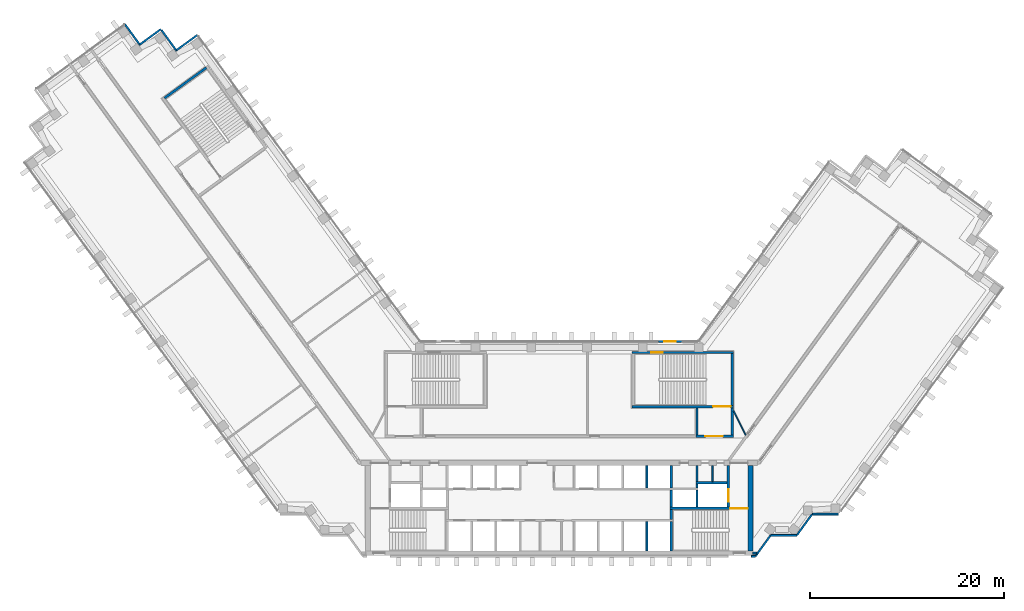
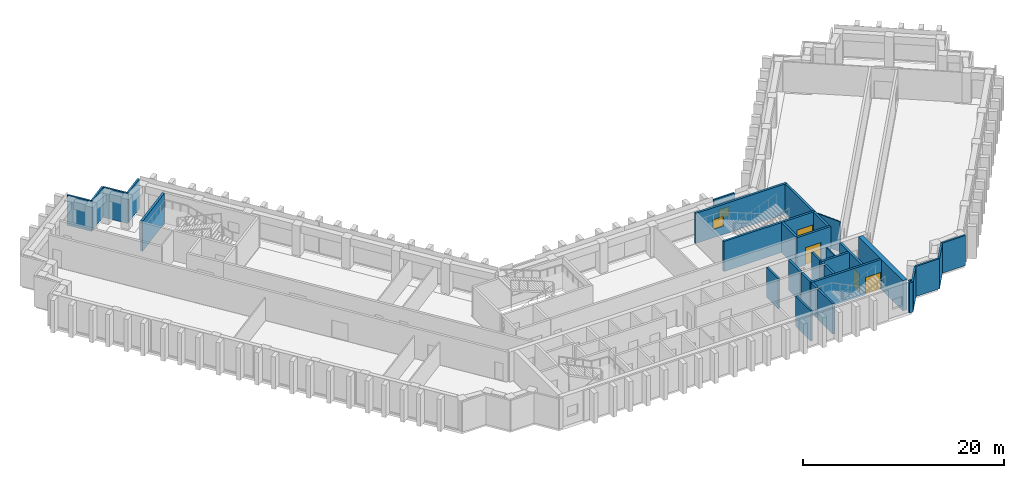
# One storey, part 9 of 13: 33 walls, 4 doors, 2 windows, 6 openings.
"""IFC4 building model written with IfcOpenShell, lengths in metres."""

from ifc_helpers import new_model, si_unit, direction, frame, frame_2d, origin, place, context, subcontext, project, spatial, rectangle, extrude, material, layer, layer_set, type_object, element, fill, save


model = new_model("IFC4")

# Units and contexts
model_context = context("Model", 3, precision=1e-05, world=origin(), true_north=direction((0.0, 1.0)))
body_context = subcontext(model_context, "Body", "Model", "MODEL_VIEW")
ifc_project = project(units=[si_unit("LENGTHUNIT", "METRE"), si_unit("AREAUNIT", "SQUARE_METRE"), si_unit("VOLUMEUNIT", "CUBIC_METRE"), si_unit("PLANEANGLEUNIT", "RADIAN"), si_unit("MASSUNIT", "GRAM", prefix="KILO")], contexts=[model_context])

# Site, building, storey
site_placement = place(None, origin())
site = spatial("IfcSite", under=ifc_project, at=site_placement, CompositionType="ELEMENT")
building_placement = place(site_placement, origin())
building = spatial("IfcBuilding", under=site, at=building_placement, Name="Quipu Civic Tower", CompositionType="ELEMENT")
storey_placement = place(building_placement, frame((0.0, 0.0, 85.0)))
storey = spatial("IfcBuildingStorey", under=building, at=storey_placement, Name="L19", CompositionType="ELEMENT", Elevation=85.0)

# Walls
ifc_material_1 = material(Name="Concrete C70/85", Category="concrete")
ifc_layer_1 = layer(ifc_material_1, 0.25)
ifc_layer_set_1 = layer_set([ifc_layer_1], Name="Concrete C70/85")
wall_type_1 = type_object("IfcWallType", Name="Core wall 250", PredefinedType="SHEAR", material=ifc_layer_set_1)
wall_1_placement = place(storey_placement, frame((11.574951171875, -10.5, 0.0), z_axis=(0.0, 0.0, 1.0), x_axis=(0.0, 1.0, 0.0)))
element("IfcWall", 1, at=wall_1_placement, inside=storey, type_object=wall_type_1, Name="Core wall", PredefinedType="SHEAR", context=body_context, shape_type="SweptSolid", body=[
    extrude(rectangle(XDim=3.0, YDim=0.25, at=frame_2d((1.5, 0.0))), origin(), (0.0, 0.0, 1.0), 3.64990234375),
])
wall_2_placement = place(storey_placement, frame((11.574951171875, -7.25, 0.0), z_axis=(0.0, 0.0, 1.0), x_axis=(0.0, 1.0, 0.0)))
element("IfcWall", 2, at=wall_2_placement, inside=storey, type_object=wall_type_1, Name="Core wall", PredefinedType="SHEAR", context=body_context, shape_type="SweptSolid", body=[
    extrude(rectangle(XDim=1.0, YDim=0.25, at=frame_2d((0.5, 0.0))), origin(), (0.0, 0.0, 1.0), 3.64990234375),
])

# Wall, opening, door
wall_3_placement = place(storey_placement, frame((19.5, -6.125, 0.0), z_axis=(0.0, 0.0, 1.0), x_axis=(-1.0, 0.0, 0.0)))
wall_3 = element("IfcWall", 3, at=wall_3_placement, inside=storey, type_object=wall_type_1, Name="Core wall", PredefinedType="SHEAR", context=body_context, shape_type="SweptSolid", body=[
    extrude(rectangle(XDim=8.050048828125, YDim=0.25, at=frame_2d((4.02490234375, 0.0))), origin(), (0.0, 0.0, 1.0), 3.64990234375),
])
opening_1_placement = place(wall_3_placement, frame((0.050048828125, 0.0, 0.0)))
opening_1 = element("IfcOpeningElement", 4, at=opening_1_placement, cuts=wall_3, Name="Opening CD-05", PredefinedType="OPENING", context=body_context, shape_type="SweptSolid", body=[
    extrude(rectangle(XDim=1.800048828125, YDim=2.10009765625, at=frame_2d((0.89990234375, 1.050048828125))), frame((0.0, 0.135009765625, 0.0), z_axis=(0.0, -1.0, 0.0), x_axis=(1.0, 0.0, 0.0)), (0.0, 0.0, 1.0), 0.27001953125),
])
ifc_material_2 = material(Name="Fire rated steel door", Category="steel")
door_type_1 = type_object("IfcDoorType", Name="Fire door FD90 double 1800 x 2100", OperationType="NOTDEFINED", PredefinedType="DOOR", material=ifc_material_2)
door_1_placement = place(opening_1_placement, origin())
door_1 = element("IfcDoor", 5, at=door_1_placement, inside=storey, type_object=door_type_1, Name="Door", OperationType="DOUBLE_DOOR_SINGLE_SWING", OverallHeight=2.10009765625, OverallWidth=1.800048828125, PredefinedType="DOOR", context=body_context, shape_type="SweptSolid", body=[
    extrude(rectangle(XDim=1.800048828125, YDim=2.10009765625, at=frame_2d((0.89990234375, 1.050048828125))), frame((0.0, 0.02490234375, 0.0), z_axis=(0.0, -1.0, 0.0), x_axis=(1.0, 0.0, 0.0)), (0.0, 0.0, 1.0), 0.050048828125),
])
fill(opening_1, door_1)

# Walls
for number, where, z_axis, x_axis, name in (
    (6, (11.574951171875, -6.0, 0.0), (0.0, 0.0, 1.0), (0.0, 1.0, 0.0), "Core wall"),
    (7, (14.22509765625, -6.0, 0.0), (0.0, 0.0, 1.0), (0.0, 1.0, 0.0), "Core wall"),
):
    element("IfcWall", number, at=place(storey_placement, frame(where, z_axis=z_axis, x_axis=x_axis)), inside=storey, type_object=wall_type_1, Name=name, PredefinedType="SHEAR", context=body_context, shape_type="SweptSolid", body=[
        extrude(rectangle(XDim=1.75, YDim=0.25, at=frame_2d((0.875, 0.0))), origin(), (0.0, 0.0, 1.0), 3.64990234375),
    ])

# Wall, opening, door
wall_4_placement = place(storey_placement, frame((17.47509765625, -6.0, 0.0), z_axis=(0.0, 0.0, 1.0), x_axis=(0.0, 1.0, 0.0)))
wall_4 = element("IfcWall", 8, at=wall_4_placement, inside=storey, type_object=wall_type_1, Name="Core wall", PredefinedType="SHEAR", context=body_context, shape_type="SweptSolid", body=[
    extrude(rectangle(XDim=4.300048828125, YDim=0.25, at=frame_2d((2.14990234375, 0.0))), origin(), (0.0, 0.0, 1.0), 3.64990234375),
])
opening_2_placement = place(wall_4_placement, frame((0.550048828125, 0.0, 0.0)))
opening_2 = element("IfcOpeningElement", 9, at=opening_2_placement, cuts=wall_4, Name="Opening LD-FF2", PredefinedType="OPENING", context=body_context, shape_type="SweptSolid", body=[
    extrude(rectangle(XDim=1.300048828125, YDim=2.10009765625, at=frame_2d((0.64990234375, 1.050048828125))), frame((0.0, 0.135009765625, 0.0), z_axis=(0.0, -1.0, 0.0), x_axis=(1.0, 0.0, 0.0)), (0.0, 0.0, 1.0), 0.27001953125),
])
ifc_material_3 = material(Name="Stainless steel", Category="steel")
door_type_2 = type_object("IfcDoorType", Name="Lift landing door 1300 x 2100", OperationType="DOUBLE_DOOR_SLIDING", PredefinedType="DOOR", material=ifc_material_3)
door_2_placement = place(opening_2_placement, origin())
door_2 = element("IfcDoor", 10, at=door_2_placement, inside=storey, type_object=door_type_2, Name="Landing door FF2", OperationType="DOUBLE_DOOR_SLIDING", OverallHeight=2.10009765625, OverallWidth=1.300048828125, PredefinedType="DOOR", context=body_context, shape_type="SweptSolid", body=[
    extrude(rectangle(XDim=1.300048828125, YDim=2.10009765625, at=frame_2d((0.64990234375, 1.050048828125))), frame((0.0, 0.02490234375, 0.0), z_axis=(0.0, -1.0, 0.0), x_axis=(1.0, 0.0, 0.0)), (0.0, 0.0, 1.0), 0.050048828125),
])
fill(opening_2, door_2)

# Walls
wall_5_placement = place(storey_placement, frame((11.574951171875, -4.0, 0.0), z_axis=(0.0, 0.0, 1.0), x_axis=(0.0, 1.0, 0.0)))
element("IfcWall", 11, at=wall_5_placement, inside=storey, type_object=wall_type_1, Name="Core wall", PredefinedType="SHEAR", context=body_context, shape_type="SweptSolid", body=[
    extrude(rectangle(XDim=2.300048828125, YDim=0.25, at=frame_2d((1.14990234375, 0.0))), origin(), (0.0, 0.0, 1.0), 3.64990234375),
])
wall_6_placement = place(storey_placement, frame((14.22509765625, -4.0, 0.0), z_axis=(0.0, 0.0, 1.0), x_axis=(0.0, 1.0, 0.0)))
element("IfcWall", 12, at=wall_6_placement, inside=storey, type_object=wall_type_1, Name="Core wall", PredefinedType="SHEAR", context=body_context, shape_type="SweptSolid", body=[
    extrude(rectangle(XDim=0.39990234375, YDim=0.25, at=frame_2d((0.199951171875, 0.0))), origin(), (0.0, 0.0, 1.0), 3.64990234375),
])
wall_7_placement = place(storey_placement, frame((14.10009765625, -3.47509765625, 0.0), z_axis=(0.0, 0.0, 1.0), x_axis=(1.0, 0.0, 0.0)))
element("IfcWall", 13, at=wall_7_placement, inside=storey, type_object=wall_type_1, Name="Core wall", PredefinedType="SHEAR", context=body_context, shape_type="SweptSolid", body=[
    extrude(rectangle(XDim=3.25, YDim=0.25, at=frame_2d((1.625, 0.0))), origin(), (0.0, 0.0, 1.0), 3.64990234375),
])
wall_8_placement = place(storey_placement, frame((14.22509765625, -3.35009765625, 0.0), z_axis=(0.0, 0.0, 1.0), x_axis=(0.0, 1.0, 0.0)))
element("IfcWall", 14, at=wall_8_placement, inside=storey, type_object=wall_type_1, Name="Core wall", PredefinedType="SHEAR", context=body_context, shape_type="SweptSolid", body=[
    extrude(rectangle(XDim=1.650146484375, YDim=0.25, at=frame_2d((0.8251953125, 0.0))), origin(), (0.0, 0.0, 1.0), 3.64990234375),
])

# Wall, opening, door
wall_9_placement = place(storey_placement, frame((14.10009765625, 1.324951171875, 0.0), z_axis=(0.0, 0.0, 1.0), x_axis=(1.0, 0.0, 0.0)))
wall_9 = element("IfcWall", 15, at=wall_9_placement, inside=storey, type_object=wall_type_1, Name="Core wall", PredefinedType="SHEAR", context=body_context, shape_type="SweptSolid", body=[
    extrude(rectangle(XDim=3.89990234375, YDim=0.25, at=frame_2d((1.949951171875, 0.0))), origin(), (0.0, 0.0, 1.0), 3.64990234375),
])
opening_3_placement = place(wall_9_placement, frame((1.0, 0.0, 0.0)))
opening_3 = element("IfcOpeningElement", 16, at=opening_3_placement, cuts=wall_9, Name="Opening CD-17", PredefinedType="OPENING", context=body_context, shape_type="SweptSolid", body=[
    extrude(rectangle(XDim=1.800048828125, YDim=2.10009765625, at=frame_2d((0.89990234375, 1.050048828125))), frame((0.0, 0.135009765625, 0.0), z_axis=(0.0, -1.0, 0.0), x_axis=(1.0, 0.0, 0.0)), (0.0, 0.0, 1.0), 0.27001953125),
])
door_3_placement = place(opening_3_placement, origin())
door_3 = element("IfcDoor", 17, at=door_3_placement, inside=storey, type_object=door_type_1, Name="Lobby door", OperationType="DOUBLE_DOOR_SINGLE_SWING", OverallHeight=2.10009765625, OverallWidth=1.800048828125, PredefinedType="DOOR", context=body_context, shape_type="SweptSolid", body=[
    extrude(rectangle(XDim=1.800048828125, YDim=2.10009765625, at=frame_2d((0.89990234375, 1.050048828125))), frame((0.0, 0.02490234375, 0.0), z_axis=(0.0, -1.0, 0.0), x_axis=(1.0, 0.0, 0.0)), (0.0, 0.0, 1.0), 0.050048828125),
])
fill(opening_3, door_3)

# Walls
for number, where, z_axis, x_axis, name in (
    (18, (14.22509765625, 1.449951171875, 0.0), (0.0, 0.0, 1.0), (0.0, 1.0, 0.0), "Core wall"),
    (19, (17.875, 1.449951171875, 0.0), (0.0, 0.0, 1.0), (0.0, 1.0, 0.0), "Core wall"),
):
    element("IfcWall", number, at=place(storey_placement, frame(where, z_axis=z_axis, x_axis=x_axis)), inside=storey, type_object=wall_type_1, Name=name, PredefinedType="SHEAR", context=body_context, shape_type="SweptSolid", body=[
        extrude(rectangle(XDim=2.800048828125, YDim=0.25, at=frame_2d((1.39990234375, 0.0))), origin(), (0.0, 0.0, 1.0), 3.64990234375),
    ])

# Wall, opening, door
wall_10_placement = place(storey_placement, frame((7.5, 4.375, 0.0), z_axis=(0.0, 0.0, 1.0), x_axis=(1.0, 0.0, 0.0)))
wall_10 = element("IfcWall", 20, at=wall_10_placement, inside=storey, type_object=wall_type_1, Name="Core wall", PredefinedType="SHEAR", context=body_context, shape_type="SweptSolid", body=[
    extrude(rectangle(XDim=10.5, YDim=0.25, at=frame_2d((5.25, 0.0))), origin(), (0.0, 0.0, 1.0), 3.64990234375),
])
opening_4_placement = place(wall_10_placement, frame((8.39990234375, 0.0, 0.0)))
opening_4 = element("IfcOpeningElement", 21, at=opening_4_placement, cuts=wall_10, Name="Opening CD-18", PredefinedType="OPENING", context=body_context, shape_type="SweptSolid", body=[
    extrude(rectangle(XDim=1.800048828125, YDim=2.10009765625, at=frame_2d((0.89990234375, 1.050048828125))), frame((0.0, 0.135009765625, 0.0), z_axis=(0.0, -1.0, 0.0), x_axis=(1.0, 0.0, 0.0)), (0.0, 0.0, 1.0), 0.27001953125),
])
door_4_placement = place(opening_4_placement, origin())
door_4 = element("IfcDoor", 22, at=door_4_placement, inside=storey, type_object=door_type_1, Name="Door", OperationType="DOUBLE_DOOR_SINGLE_SWING", OverallHeight=2.10009765625, OverallWidth=1.800048828125, PredefinedType="DOOR", context=body_context, shape_type="SweptSolid", body=[
    extrude(rectangle(XDim=1.800048828125, YDim=2.10009765625, at=frame_2d((0.89990234375, 1.050048828125))), frame((0.0, 0.02490234375, 0.0), z_axis=(0.0, -1.0, 0.0), x_axis=(1.0, 0.0, 0.0)), (0.0, 0.0, 1.0), 0.050048828125),
])
fill(opening_4, door_4)

# Wall
wall_11_placement = place(storey_placement, frame((17.875, 4.5, 0.0), z_axis=(0.0, 0.0, 1.0), x_axis=(0.0, 1.0, 0.0)))
element("IfcWall", 23, at=wall_11_placement, inside=storey, type_object=wall_type_1, Name="Core wall", PredefinedType="SHEAR", context=body_context, shape_type="SweptSolid", body=[
    extrude(rectangle(XDim=5.35009765625, YDim=0.25, at=frame_2d((2.675048828125, 0.0))), origin(), (0.0, 0.0, 1.0), 3.64990234375),
])

# Wall, opening, window
wall_12_placement = place(storey_placement, frame((7.5, 9.97509765625, 0.0), z_axis=(0.0, 0.0, 1.0), x_axis=(1.0, 0.0, 0.0)))
wall_12 = element("IfcWall", 24, at=wall_12_placement, inside=storey, type_object=wall_type_1, Name="Core wall", PredefinedType="SHEAR", context=body_context, shape_type="SweptSolid", body=[
    extrude(rectangle(XDim=10.5, YDim=0.25, at=frame_2d((5.25, 0.0))), origin(), (0.0, 0.0, 1.0), 3.64990234375),
])
opening_5_placement = place(wall_12_placement, frame((2.0, 0.0, 1.0)))
opening_5 = element("IfcOpeningElement", 25, at=opening_5_placement, cuts=wall_12, Name="Opening SV-4", PredefinedType="OPENING", context=body_context, shape_type="SweptSolid", body=[
    extrude(rectangle(XDim=1.199951171875, YDim=1.199951171875, at=frame_2d((0.60009765625, 0.60009765625))), frame((0.0, 0.135009765625, 0.0), z_axis=(0.0, -1.0, 0.0), x_axis=(1.0, 0.0, 0.0)), (0.0, 0.0, 1.0), 0.27001953125),
])
ifc_material_4 = material(Name="Aluminium louvre", Category="aluminium")
window_type_1 = type_object("IfcWindowType", Name="Stair ventilation louvre 1200 x 1200", PartitioningType="SINGLE_PANEL", PredefinedType="WINDOW", material=ifc_material_4)
window_1_placement = place(opening_5_placement, origin())
window_1 = element("IfcWindow", 26, at=window_1_placement, inside=storey, type_object=window_type_1, Name="Stair ventilation opening", OverallHeight=1.199951171875, OverallWidth=1.199951171875, PartitioningType="SINGLE_PANEL", PredefinedType="WINDOW", context=body_context, shape_type="SweptSolid", body=[
    extrude(rectangle(XDim=1.199951171875, YDim=1.199951171875, at=frame_2d((0.60009765625, 0.60009765625))), frame((0.0, 0.030029296875, 0.0), z_axis=(0.0, -1.0, 0.0), x_axis=(1.0, 0.0, 0.0)), (0.0, 0.0, 1.0), 0.06005859375),
])
fill(opening_5, window_1)

# Walls
wall_13_placement = place(storey_placement, frame((-36.43896484375, 39.384033203125, 0.0), z_axis=(0.0, 0.0, 1.0), x_axis=(-0.809020161303, -0.587780893365, 0.0)))
element("IfcWall", 27, at=wall_13_placement, inside=storey, type_object=wall_type_1, Name="Core wall", PredefinedType="SHEAR", context=body_context, shape_type="SweptSolid", body=[
    extrude(rectangle(XDim=5.349853515625, YDim=0.25, at=frame_2d((2.6748046875, 0.0))), origin(), (0.0, 0.0, 1.0), 3.64990234375),
])
ifc_material_5 = material(Name="Concrete C70/85", Category="concrete")
ifc_layer_2 = layer(ifc_material_5, 0.5)
ifc_layer_set_2 = layer_set([ifc_layer_2], Name="Concrete C70/85")
wall_type_2 = type_object("IfcWallType", Name="Core wall 500", PredefinedType="SHEAR", material=ifc_layer_set_2)
wall_14_placement = place(storey_placement, frame((19.75, -10.5, 0.0), z_axis=(0.0, 0.0, 1.0), x_axis=(0.0, 1.0, 0.0)))
element("IfcWall", 28, at=wall_14_placement, inside=storey, type_object=wall_type_2, Name="Core wall", PredefinedType="SHEAR", context=body_context, shape_type="SweptSolid", body=[
    extrude(rectangle(XDim=8.800048828125, YDim=0.5, at=frame_2d((4.39990234375, 0.0))), origin(), (0.0, 0.0, 1.0), 3.64990234375),
])
ifc_material_6 = material(Name="Gypsum plasterboard on light gauge framing")
ifc_layer_3 = layer(ifc_material_6, 0.1201171875)
ifc_layer_set_3 = layer_set([ifc_layer_3], Name="Gypsum plasterboard on light gauge framing")
wall_type_3 = type_object("IfcWallType", Name="Partition 120 plasterboard", PredefinedType="PARTITIONING", material=ifc_layer_set_3)
wall_15_placement = place(storey_placement, frame((18.0, 3.925048828125, 0.0), z_axis=(0.0, 0.0, 1.0), x_axis=(0.453950796792, -0.891026752736, 0.0)))
element("IfcWall", 29, at=wall_15_placement, inside=storey, type_object=wall_type_3, Name="Partition P11", PredefinedType="PARTITIONING", context=body_context, shape_type="SweptSolid", body=[
    extrude(rectangle(XDim=2.77783203125, YDim=0.1201171875, at=frame_2d((1.388916015625, 0.0))), origin(), (0.0, 0.0, 1.0), 3.64990234375),
])
ifc_material_7 = material(Name="Gypsum board partition")
ifc_layer_4 = layer(ifc_material_7, 0.14990234375)
ifc_layer_set_4 = layer_set([ifc_layer_4], Name="Gypsum board partition")
wall_type_4 = type_object("IfcWallType", Name="Partition 150", PredefinedType="PARTITIONING", material=ifc_layer_set_4)
wall_16_placement = place(storey_placement, frame((15.85009765625, -3.35009765625, 0.0), z_axis=(0.0, 0.0, 1.0), x_axis=(0.0, 1.0, 0.0)))
element("IfcWall", 30, at=wall_16_placement, inside=storey, type_object=wall_type_4, Name="Partition", PredefinedType="PARTITIONING", context=body_context, shape_type="SweptSolid", body=[
    extrude(rectangle(XDim=1.650146484375, YDim=0.14990234375, at=frame_2d((0.8251953125, 0.0))), origin(), (0.0, 0.0, 1.0), 3.64990234375),
])

# Wall, opening, window
ifc_material_8 = material(Name="Precast concrete C40/50", Category="concrete")
wall_type_5 = type_object("IfcWallType", Name="Precast cladding wall", PredefinedType="SOLIDWALL", material=ifc_material_8)
wall_17_placement = place(storey_placement, frame((12.655029296875, 11.10009765625, 0.0), z_axis=(0.0, 0.0, 1.0), x_axis=(-1.0, 0.0, 0.0)))
wall_17 = element("IfcWall", 31, at=wall_17_placement, inside=storey, type_object=wall_type_5, Name="Vent surround SF-L19-2", PredefinedType="SOLIDWALL", context=body_context, shape_type="SweptSolid", body=[
    extrude(rectangle(XDim=2.3916015625, YDim=0.199951171875, at=frame_2d((1.19580078125, 0.0))), origin(), (0.0, 0.0, 1.0), 3.64990234375),
])
opening_6_placement = place(wall_17_placement, frame((0.595703125, 0.0, 1.0)))
opening_6 = element("IfcOpeningElement", 32, at=opening_6_placement, cuts=wall_17, Name="Opening SF-L19-2", PredefinedType="OPENING", context=body_context, shape_type="SweptSolid", body=[
    extrude(rectangle(XDim=1.199951171875, YDim=1.199951171875, at=frame_2d((0.60009765625, 0.60009765625))), frame((0.0, 0.10986328125, 0.0), z_axis=(0.0, -1.0, 0.0), x_axis=(1.0, 0.0, 0.0)), (0.0, 0.0, 1.0), 0.219970703125),
])
ifc_material_9 = material(Name="Anodised aluminium louvre", Category="aluminium")
window_type_2 = type_object("IfcWindowType", Name="Stair vent louvre window P3", PartitioningType="SINGLE_PANEL", PredefinedType="WINDOW", material=ifc_material_9)
window_2_placement = place(opening_6_placement, origin())
window_2 = element("IfcWindow", 33, at=window_2_placement, inside=storey, type_object=window_type_2, Name="Stair vent louvre SF-L19-2", OverallHeight=1.199951171875, OverallWidth=1.199951171875, PartitioningType="SINGLE_PANEL", PredefinedType="WINDOW", context=body_context, shape_type="SweptSolid", body=[
    extrude(rectangle(XDim=1.199951171875, YDim=1.199951171875, at=frame_2d((0.60009765625, 0.60009765625))), frame((0.0, 0.030029296875, 0.0), z_axis=(0.0, -1.0, 0.0), x_axis=(1.0, 0.0, 0.0)), (0.0, 0.0, 1.0), 0.06005859375),
])
fill(opening_6, window_2)

# Walls
wall_18_placement = place(storey_placement, frame((-37.352783203125, 42.768310546875, 0.0), z_axis=(0.0, 0.0, 1.0), x_axis=(-0.809033161865, -0.587762999008, 0.0)))
element("IfcWall", 34, at=wall_18_placement, inside=storey, type_object=wall_type_5, Name="Precast cladding wall L19 18", PredefinedType="SOLIDWALL", context=body_context, shape_type="SweptSolid", body=[
    extrude(rectangle(XDim=2.699951171875, YDim=0.199951171875, at=frame_2d((1.35009765625, 0.0))), origin(), (0.0, 0.0, 1.0), 3.64990234375),
])
wall_19_placement = place(storey_placement, frame((-39.488037109375, 41.093505859375, 0.0), z_axis=(0.0, 0.0, 1.0), x_axis=(-0.587806000234, 0.809001919707, 0.0)))
element("IfcWall", 35, at=wall_19_placement, inside=storey, type_object=wall_type_5, Name="Precast cladding wall L19 19", PredefinedType="SOLIDWALL", context=body_context, shape_type="SweptSolid", body=[
    extrude(rectangle(XDim=2.69970703125, YDim=0.199951171875, at=frame_2d((1.349853515625, 0.0))), origin(), (0.0, 0.0, 1.0), 3.64990234375),
])
for number, where, z_axis, x_axis, name in (
    (36, (-41.1240234375, 43.36572265625, 0.0), (0.0, 0.0, 1.0), (-0.809033161865, -0.587762999008, 0.0), "Precast cladding wall L19 20"),
    (37, (-43.25927734375, 41.690673828125, 0.0), (0.0, 0.0, 1.0), (-0.587822180636, 0.808990163075, 0.0), "Precast cladding wall L19 21"),
):
    element("IfcWall", number, at=place(storey_placement, frame(where, z_axis=z_axis, x_axis=x_axis)), inside=storey, type_object=wall_type_5, Name=name, PredefinedType="SOLIDWALL", context=body_context, shape_type="SweptSolid", body=[
        extrude(rectangle(XDim=2.699951171875, YDim=0.199951171875, at=frame_2d((1.35009765625, 0.0))), origin(), (0.0, 0.0, 1.0), 3.64990234375),
    ])
wall_20_placement = place(storey_placement, frame((19.85009765625, -11.087890625, 0.0), z_axis=(0.0, 0.0, 1.0), x_axis=(1.0, 0.0, 0.0)))
element("IfcWall", 38, at=wall_20_placement, inside=storey, type_object=wall_type_5, Name="Precast cladding wall L19 34", PredefinedType="SOLIDWALL", context=body_context, shape_type="SweptSolid", body=[
    extrude(rectangle(XDim=0.40576171875, YDim=0.199951171875, at=frame_2d((0.202880859375, 0.0))), origin(), (0.0, 0.0, 1.0), 3.64990234375),
])
wall_21_placement = place(storey_placement, frame((20.253173828125, -11.083251953125, 0.0), z_axis=(0.0, 0.0, 1.0), x_axis=(0.587766567315, 0.809030569476, 0.0)))
element("IfcWall", 39, at=wall_21_placement, inside=storey, type_object=wall_type_5, Name="Precast cladding wall L19 35", PredefinedType="SOLIDWALL", context=body_context, shape_type="SweptSolid", body=[
    extrude(rectangle(XDim=2.687744140625, YDim=0.199951171875, at=frame_2d((1.34375, 0.0))), origin(), (0.0, 0.0, 1.0), 3.64990234375),
])
wall_22_placement = place(storey_placement, frame((21.8427734375, -8.90380859375, 0.0), z_axis=(0.0, 0.0, 1.0), x_axis=(1.0, 0.0, 0.0)))
element("IfcWall", 40, at=wall_22_placement, inside=storey, type_object=wall_type_5, Name="Precast cladding wall L19 36", PredefinedType="SOLIDWALL", context=body_context, shape_type="SweptSolid", body=[
    extrude(rectangle(XDim=2.699951171875, YDim=0.199951171875, at=frame_2d((1.35009765625, 0.0))), origin(), (0.0, 0.0, 1.0), 3.64990234375),
])
wall_23_placement = place(storey_placement, frame((24.533203125, -8.90869140625, 0.0), z_axis=(0.0, 0.0, 1.0), x_axis=(0.587720002413, 0.809064397168, 0.0)))
element("IfcWall", 41, at=wall_23_placement, inside=storey, type_object=wall_type_5, Name="Precast cladding wall L19 37", PredefinedType="SOLIDWALL", context=body_context, shape_type="SweptSolid", body=[
    extrude(rectangle(XDim=2.7001953125, YDim=0.199951171875, at=frame_2d((1.35009765625, 0.0))), origin(), (0.0, 0.0, 1.0), 3.64990234375),
])
wall_24_placement = place(storey_placement, frame((26.1298828125, -6.71923828125, 0.0), z_axis=(0.0, 0.0, 1.0), x_axis=(1.0, 0.0, 0.0)))
element("IfcWall", 42, at=wall_24_placement, inside=storey, type_object=wall_type_5, Name="Precast cladding wall L19 38", PredefinedType="SOLIDWALL", context=body_context, shape_type="SweptSolid", body=[
    extrude(rectangle(XDim=2.699951171875, YDim=0.199951171875, at=frame_2d((1.35009765625, 0.0))), origin(), (0.0, 0.0, 1.0), 3.64990234375),
])
wall_25_placement = place(storey_placement, frame((19.97998046875, -10.75, 0.0), z_axis=(0.0, 0.0, 1.0), x_axis=(1.0, 0.0, 0.0)))
element("IfcWall", 43, at=wall_25_placement, inside=storey, type_object=wall_type_5, Name="Precast cladding return L19 E", PredefinedType="SOLIDWALL", context=body_context, shape_type="SweptSolid", body=[
    extrude(rectangle(XDim=0.41650390625, YDim=0.199951171875, at=frame_2d((0.208251953125, 0.0))), origin(), (0.0, 0.0, 1.0), 3.64990234375),
])
ifc_material_10 = material(Name="Concrete C40/50", Category="concrete")
ifc_layer_5 = layer(ifc_material_10, 0.199951171875)
ifc_layer_set_5 = layer_set([ifc_layer_5], Name="Concrete C40/50")
wall_type_6 = type_object("IfcWallType", Name="Shaft wall 200", PredefinedType="SOLIDWALL", material=ifc_layer_set_5)
wall_26_placement = place(storey_placement, frame((9.050048828125, -10.5, 0.0), z_axis=(0.0, 0.0, 1.0), x_axis=(0.0, 1.0, 0.0)))
element("IfcWall", 44, at=wall_26_placement, inside=storey, type_object=wall_type_6, Name="Shaft wall", PredefinedType="SOLIDWALL", context=body_context, shape_type="SweptSolid", body=[
    extrude(rectangle(XDim=3.0, YDim=0.199951171875, at=frame_2d((1.5, 0.0))), origin(), (0.0, 0.0, 1.0), 3.64990234375),
])
wall_27_placement = place(storey_placement, frame((9.050048828125, -4.0, 0.0), z_axis=(0.0, 0.0, 1.0), x_axis=(0.0, 1.0, 0.0)))
element("IfcWall", 45, at=wall_27_placement, inside=storey, type_object=wall_type_6, Name="Shaft wall", PredefinedType="SOLIDWALL", context=body_context, shape_type="SweptSolid", body=[
    extrude(rectangle(XDim=2.300048828125, YDim=0.199951171875, at=frame_2d((1.14990234375, 0.0))), origin(), (0.0, 0.0, 1.0), 3.64990234375),
])

save(model, "model.ifc")
